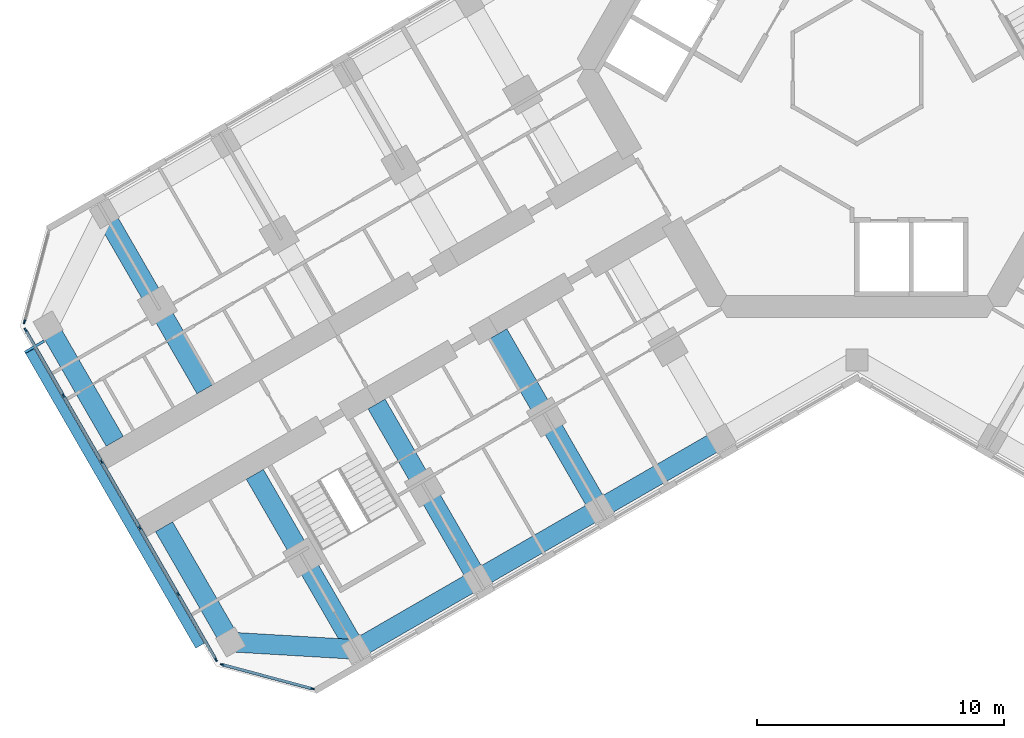
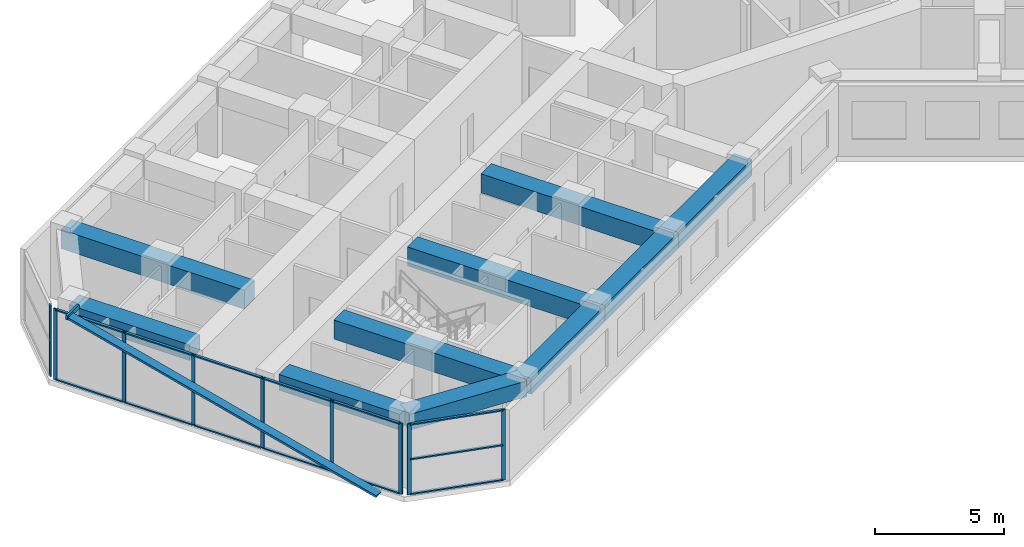
# One storey, part 2 of 19: 24 members, 10 beams, 3 elements without a shape of their own.
"""IFC4 building model written with IfcOpenShell, lengths in metres."""

from ifc_helpers import new_model, si_unit, direction, frame, origin, origin_2d, place, context, subcontext, project, spatial, rectangle, hollow_rectangle, extrude, material, material_profile, profile_set, type_object, element, aggregate, save


model = new_model("IFC4")

# Units and contexts
model_context = context("Model", 3, precision=1e-05, world=origin(), true_north=direction((0.0, 1.0)))
body_context = subcontext(model_context, "Body", "Model", "MODEL_VIEW")
ifc_project = project(units=[si_unit("LENGTHUNIT", "METRE"), si_unit("AREAUNIT", "SQUARE_METRE"), si_unit("VOLUMEUNIT", "CUBIC_METRE"), si_unit("PLANEANGLEUNIT", "RADIAN"), si_unit("MASSUNIT", "GRAM", prefix="KILO")], contexts=[model_context])

# Site, building, storey
site_placement = place(None, origin())
site = spatial("IfcSite", under=ifc_project, at=site_placement, CompositionType="ELEMENT")
building_placement = place(site_placement, origin())
building = spatial("IfcBuilding", under=site, at=building_placement, Name="Kosmar Iwan School Tower", CompositionType="ELEMENT")
storey_placement = place(building_placement, frame((0.0, 0.0, 134.60009765625)))
storey = spatial("IfcBuildingStorey", under=building, at=storey_placement, Name="L33", CompositionType="ELEMENT", Elevation=134.60009765625)

# Members
ifc_material_1 = material(Name="Black anodised aluminium", Category="aluminium")
ifc_material_profile_1 = material_profile(ifc_material_1, rectangle(XDim=0.10009765625, YDim=0.39990234375, at=origin_2d()), Name="FIN 100x400")
ifc_profile_set_1 = profile_set([ifc_material_profile_1], Name="Black anodised aluminium")
member_type_1 = type_object("IfcMemberType", Name="Diagonal fin 100x400", PredefinedType="USERDEFINED", material=ifc_profile_set_1)
member_1_placement = place(storey_placement, frame((-26.645263671875, -23.34912109375, -0.150146484375), z_axis=(-0.483793446988, 0.837970316603, 0.25248692866), x_axis=(0.126241714543, -0.218661104574, 0.96760030532)))
element("IfcMember", 1, at=member_1_placement, inside=storey, type_object=member_type_1, Name="Diagonal fin L33-F13", ObjectType="FIN", PredefinedType="USERDEFINED", context=body_context, shape_type="SweptSolid", body=[
    extrude(rectangle(XDim=0.10009765625, YDim=0.39990234375, at=origin_2d()), origin(), (0.0, 0.0, 1.0), 14.258544921875),
])
ifc_material_2 = material(Name="Steel S355", Category="steel")
ifc_material_profile_2 = material_profile(ifc_material_2, hollow_rectangle(XDim=0.10009765625, YDim=0.199951171875, WallThickness=0.008056640625, at=origin_2d()), Name="RHS 200x100x8")
ifc_profile_set_2 = profile_set([ifc_material_profile_2], Name="Steel S355")
member_type_2 = type_object("IfcMemberType", Name="Fin bracket RHS 200x100", PredefinedType="USERDEFINED", material=ifc_profile_set_2)
member_2_placement = place(storey_placement, frame((-32.963134765625, -11.006103515625, 3.474853515625), z_axis=(-0.866081705922, -0.499902469156, 0.0), x_axis=(0.499902469156, -0.866081705922, 0.0)))
element("IfcMember", 2, at=member_2_placement, inside=storey, type_object=member_type_2, Name="Fin bracket L34", ObjectType="FIN BRACKET", PredefinedType="USERDEFINED", context=body_context, shape_type="SweptSolid", body=[
    extrude(hollow_rectangle(XDim=0.10009765625, YDim=0.199951171875, WallThickness=0.008056640625, at=origin_2d()), origin(), (0.0, 0.0, 1.0), 0.900146484375),
])

# Curtain wall, member
ifc_material_3 = material(Name="Dark glass in black aluminium frame", Category="aluminium")
curtain_wall_type_1 = type_object("IfcCurtainWallType", Name="Chamfer curtain wall dark glass", PredefinedType="USERDEFINED", material=ifc_material_3)
curtain_wall_1_placement = place(storey_placement, origin())
curtain_wall_1 = element("IfcCurtainWall", 3, at=curtain_wall_1_placement, inside=storey, type_object=curtain_wall_type_1, Name="Curtain wall L33-F12", ObjectType="FACETED CURTAIN WALL", PredefinedType="USERDEFINED")
ifc_material_4 = material(Name="Black anodised aluminium", Category="aluminium")
ifc_material_profile_3 = material_profile(ifc_material_4, rectangle(XDim=0.06005859375, YDim=0.159912109375, at=origin_2d()), Name="MULLION 60x160")
ifc_profile_set_3 = profile_set([ifc_material_profile_3], Name="Black anodised aluminium")
member_type_3 = type_object("IfcMemberType", Name="Mullion 60x160", PredefinedType="MULLION", material=ifc_profile_set_3)
member_3_placement = place(storey_placement, frame((-33.7587890625, -10.2236328125, 0.0), z_axis=(0.0, 0.0, 1.0), x_axis=(0.965925875495, -0.258818861462, 0.0)))
member_3 = element("IfcMember", 4, at=member_3_placement, type_object=member_type_3, Name="CW2 mullion 2", PredefinedType="MULLION", context=body_context, shape_type="SweptSolid", body=[
    extrude(rectangle(XDim=0.06005859375, YDim=0.159912109375, at=origin_2d()), origin(), (0.0, 0.0, 1.0), 3.349853515625),
])
aggregate(curtain_wall_1, [member_3])

# Curtain wall, members
ifc_material_5 = material(Name="Dark glass in black aluminium frame", Category="aluminium")
curtain_wall_type_2 = type_object("IfcCurtainWallType", Name="Tower curtain wall dark glass", PredefinedType="USERDEFINED", material=ifc_material_5)
curtain_wall_2_placement = place(storey_placement, origin())
curtain_wall_2 = element("IfcCurtainWall", 5, at=curtain_wall_2_placement, inside=storey, type_object=curtain_wall_type_2, Name="Curtain wall L33-F13", ObjectType="UNITISED CURTAIN WALL", PredefinedType="USERDEFINED")
member_4_placement = place(storey_placement, frame((-33.71533203125, -10.55322265625, 0.0), z_axis=(0.0, 0.0, 1.0), x_axis=(0.866025405329, 0.499999997325, 0.0)))
member_4 = element("IfcMember", 6, at=member_4_placement, type_object=member_type_3, Name="CW1 mullion 1", PredefinedType="MULLION", context=body_context, shape_type="SweptSolid", body=[
    extrude(rectangle(XDim=0.06005859375, YDim=0.159912109375, at=origin_2d()), origin(), (0.0, 0.0, 1.0), 3.349853515625),
])
member_5_placement = place(storey_placement, frame((-32.1806640625, -13.21142578125, 0.0), z_axis=(0.0, 0.0, 1.0), x_axis=(0.866025405329, 0.499999997325, 0.0)))
member_5 = element("IfcMember", 7, at=member_5_placement, type_object=member_type_3, Name="CW1 mullion 2", PredefinedType="MULLION", context=body_context, shape_type="SweptSolid", body=[
    extrude(rectangle(XDim=0.06005859375, YDim=0.159912109375, at=origin_2d()), origin(), (0.0, 0.0, 1.0), 3.349853515625),
])
member_6_placement = place(storey_placement, frame((-30.631103515625, -15.8955078125, 0.0), z_axis=(0.0, 0.0, 1.0), x_axis=(0.866025405329, 0.499999997325, 0.0)))
member_6 = element("IfcMember", 8, at=member_6_placement, type_object=member_type_3, Name="CW1 mullion 3", PredefinedType="MULLION", context=body_context, shape_type="SweptSolid", body=[
    extrude(rectangle(XDim=0.06005859375, YDim=0.159912109375, at=origin_2d()), origin(), (0.0, 0.0, 1.0), 3.349853515625),
])
member_7_placement = place(storey_placement, frame((-29.081298828125, -18.57958984375, 0.0), z_axis=(0.0, 0.0, 1.0), x_axis=(0.866025405329, 0.499999997325, 0.0)))
member_7 = element("IfcMember", 9, at=member_7_placement, type_object=member_type_3, Name="CW1 mullion 4", PredefinedType="MULLION", context=body_context, shape_type="SweptSolid", body=[
    extrude(rectangle(XDim=0.06005859375, YDim=0.159912109375, at=origin_2d()), origin(), (0.0, 0.0, 1.0), 3.349853515625),
])
member_8_placement = place(storey_placement, frame((-27.53173828125, -21.263671875, 0.0), z_axis=(0.0, 0.0, 1.0), x_axis=(0.866025405329, 0.499999997325, 0.0)))
member_8 = element("IfcMember", 10, at=member_8_placement, type_object=member_type_3, Name="CW1 mullion 5", PredefinedType="MULLION", context=body_context, shape_type="SweptSolid", body=[
    extrude(rectangle(XDim=0.06005859375, YDim=0.159912109375, at=origin_2d()), origin(), (0.0, 0.0, 1.0), 3.349853515625),
])
member_9_placement = place(storey_placement, frame((-25.9970703125, -23.921630859375, 0.0), z_axis=(0.0, 0.0, 1.0), x_axis=(0.866025405329, 0.499999997325, 0.0)))
member_9 = element("IfcMember", 11, at=member_9_placement, type_object=member_type_3, Name="CW1 mullion 6", PredefinedType="MULLION", context=body_context, shape_type="SweptSolid", body=[
    extrude(rectangle(XDim=0.06005859375, YDim=0.159912109375, at=origin_2d()), origin(), (0.0, 0.0, 1.0), 3.349853515625),
])

curtain_wall_3_placement = place(storey_placement, origin())
curtain_wall_3 = element("IfcCurtainWall", 12, at=curtain_wall_3_placement, inside=storey, type_object=curtain_wall_type_1, Name="Curtain wall L33-F14", ObjectType="FACETED CURTAIN WALL", PredefinedType="USERDEFINED")
member_10_placement = place(storey_placement, frame((-25.733154296875, -24.124267578125, 0.0), z_axis=(0.0, 0.0, 1.0), x_axis=(0.258818861462, 0.965925875495, 0.0)))
member_10 = element("IfcMember", 13, at=member_10_placement, type_object=member_type_3, Name="CW2 mullion 1", PredefinedType="MULLION", context=body_context, shape_type="SweptSolid", body=[
    extrude(rectangle(XDim=0.06005859375, YDim=0.159912109375, at=origin_2d()), origin(), (0.0, 0.0, 1.0), 3.349853515625),
])
member_11_placement = place(storey_placement, frame((-22.0830078125, -25.102294921875, 0.0), z_axis=(0.0, 0.0, 1.0), x_axis=(0.258818861462, 0.965925875495, 0.0)))
member_11 = element("IfcMember", 14, at=member_11_placement, type_object=member_type_3, Name="CW2 mullion 2", PredefinedType="MULLION", context=body_context, shape_type="SweptSolid", body=[
    extrude(rectangle(XDim=0.06005859375, YDim=0.159912109375, at=origin_2d()), origin(), (0.0, 0.0, 1.0), 3.349853515625),
])

# Beams
ifc_material_6 = material(Name="Concrete C50/60", Category="concrete")
ifc_material_profile_4 = material_profile(ifc_material_6, rectangle(XDim=0.800048828125, YDim=0.75, at=origin_2d()), Name="RC 800x750")
ifc_profile_set_4 = profile_set([ifc_material_profile_4], Name="Concrete C50/60")
beam_type_1 = type_object("IfcBeamType", Name="RC edge beam 800x750", PredefinedType="BEAM", material=ifc_profile_set_4)
beam_1_placement = place(storey_placement, frame((-5.5087890625, -14.95849609375, 2.974853515625), z_axis=(-0.866033658841, -0.49998570155, 0.0), x_axis=(0.49998570155, -0.866033658841, 0.0)))
element("IfcBeam", 15, at=beam_1_placement, inside=storey, type_object=beam_type_1, Name="Edge beam BL2", PredefinedType="BEAM", context=body_context, shape_type="SweptSolid", body=[
    extrude(rectangle(XDim=0.800048828125, YDim=0.75, at=origin_2d()), origin(), (0.0, 0.0, 1.0), 5.699951171875),
])
beam_2_placement = place(storey_placement, frame((-10.445068359375, -17.808349609375, 2.974853515625), z_axis=(-0.866025820012, -0.499999279071, 0.0), x_axis=(0.499999279071, -0.866025820012, 0.0)))
element("IfcBeam", 16, at=beam_2_placement, inside=storey, type_object=beam_type_1, Name="Edge beam BL3", PredefinedType="BEAM", context=body_context, shape_type="SweptSolid", body=[
    extrude(rectangle(XDim=0.800048828125, YDim=0.75, at=origin_2d()), origin(), (0.0, 0.0, 1.0), 5.7001953125),
])
beam_3_placement = place(storey_placement, frame((-15.381591796875, -20.658447265625, 2.974853515625), z_axis=(-0.866015111908, -0.50001782563, 0.0), x_axis=(0.50001782563, -0.866015111908, 0.0)))
element("IfcBeam", 17, at=beam_3_placement, inside=storey, type_object=beam_type_1, Name="Edge beam BL4", PredefinedType="BEAM", context=body_context, shape_type="SweptSolid", body=[
    extrude(rectangle(XDim=0.800048828125, YDim=0.75, at=origin_2d()), origin(), (0.0, 0.0, 1.0), 5.699951171875),
])
ifc_material_7 = material(Name="Concrete C50/60", Category="concrete")
ifc_material_profile_5 = material_profile(ifc_material_7, rectangle(XDim=0.800048828125, YDim=0.75, at=origin_2d()), Name="RC 800x750")
ifc_profile_set_5 = profile_set([ifc_material_profile_5], Name="Concrete C50/60")
beam_type_2 = type_object("IfcBeamType", Name="RC tip beam 800x750", PredefinedType="BEAM", material=ifc_profile_set_5)
beam_4_placement = place(storey_placement, frame((-20.31787109375, -23.508544921875, 2.974853515625), z_axis=(-0.998260616478, 0.058955420358, 0.0), x_axis=(-0.058955420358, -0.998260616478, 0.0)))
element("IfcBeam", 18, at=beam_4_placement, inside=storey, type_object=beam_type_2, Name="Tip beam BL", PredefinedType="BEAM", context=body_context, shape_type="SweptSolid", body=[
    extrude(rectangle(XDim=0.800048828125, YDim=0.75, at=origin_2d()), origin(), (0.0, 0.0, 1.0), 5.08935546875),
])
for number, where, z_axis, x_axis, name in (
    (19, (-25.3984375, -23.20849609375, 2.974853515625), (-0.499995103361, 0.866028230842, 0.0), (-0.866028230842, -0.499995103361, 0.0), "Tip beam BL to corridor wall"),
    (20, (-32.79833984375, -10.391357421875, 2.974853515625), (0.499995103361, -0.866028230842, 0.0), (0.866028230842, 0.499995103361, 0.0), "Tip beam BR to corridor wall"),
):
    element("IfcBeam", number, at=place(storey_placement, frame(where, z_axis=z_axis, x_axis=x_axis)), inside=storey, type_object=beam_type_2, Name=name, PredefinedType="BEAM", context=body_context, shape_type="SweptSolid", body=[
        extrude(rectangle(XDim=0.800048828125, YDim=0.75, at=origin_2d()), origin(), (0.0, 0.0, 1.0), 5.39990234375),
    ])
ifc_material_8 = material(Name="Concrete C50/60", Category="concrete")
ifc_material_profile_6 = material_profile(ifc_material_8, rectangle(XDim=0.800048828125, YDim=0.89990234375, at=origin_2d()), Name="RC 800x900")
ifc_profile_set_6 = profile_set([ifc_material_profile_6], Name="Concrete C50/60")
beam_type_3 = type_object("IfcBeamType", Name="RC transverse beam 800x900", PredefinedType="BEAM", material=ifc_profile_set_6)
for number, where, z_axis, x_axis, name in (
    (21, (-10.445068359375, -17.808349609375, 2.89990234375), (-0.500013681986, 0.866017504342, 0.0), (-0.866017504342, -0.500013681986, 0.0), "Transverse beam BL2"),
    (22, (-15.381591796875, -20.658447265625, 2.89990234375), (-0.49999135188, 0.866030396721, 0.0), (-0.866030396721, -0.49999135188, 0.0), "Transverse beam BL3"),
    (23, (-20.31787109375, -23.508544921875, 2.89990234375), (-0.499978459874, 0.866037839625, 0.0), (-0.866037839625, -0.499978459874, 0.0), "Transverse beam BL4"),
    (24, (-30.517822265625, -5.841552734375, 2.89990234375), (0.500013681986, -0.866017504342, 0.0), (0.866017504342, 0.500013681986, 0.0), "Transverse beam BR4"),
):
    element("IfcBeam", number, at=place(storey_placement, frame(where, z_axis=z_axis, x_axis=x_axis)), inside=storey, type_object=beam_type_3, Name=name, PredefinedType="BEAM", context=body_context, shape_type="SweptSolid", body=[
        extrude(rectangle(XDim=0.800048828125, YDim=0.89990234375, at=origin_2d()), origin(), (0.0, 0.0, 1.0), 8.199951171875),
    ])

# Member
ifc_material_9 = material(Name="Black anodised aluminium", Category="aluminium")
ifc_material_profile_7 = material_profile(ifc_material_9, rectangle(XDim=0.1201171875, YDim=0.06005859375, at=origin_2d()), Name="TRANSOM 60x120")
ifc_profile_set_7 = profile_set([ifc_material_profile_7], Name="Black anodised aluminium")
member_type_4 = type_object("IfcMemberType", Name="Transom 60x120", PredefinedType="USERDEFINED", material=ifc_profile_set_7)
member_12_placement = place(storey_placement, frame((-33.700439453125, -10.579345703125, 0.02978515625), z_axis=(0.500022102064, -0.866012642776, 0.0), x_axis=(0.866012642776, 0.500022102064, 0.0)))
member_12 = element("IfcMember", 25, at=member_12_placement, type_object=member_type_4, Name="CW1 transom 1.1", ObjectType="TRANSOM", PredefinedType="USERDEFINED", context=body_context, shape_type="SweptSolid", body=[
    extrude(rectangle(XDim=0.1201171875, YDim=0.06005859375, at=origin_2d()), origin(), (0.0, 0.0, 1.0), 3.009033203125),
])

member_13_placement = place(storey_placement, frame((-33.700439453125, -10.579345703125, 3.31982421875), z_axis=(0.500022102064, -0.866012642776, 0.0), x_axis=(0.866012642776, 0.500022102064, 0.0)))
member_13 = element("IfcMember", 26, at=member_13_placement, type_object=member_type_4, Name="CW1 transom 1.2", ObjectType="TRANSOM", PredefinedType="USERDEFINED", context=body_context, shape_type="SweptSolid", body=[
    extrude(rectangle(XDim=0.1201171875, YDim=0.06005859375, at=origin_2d()), origin(), (0.0, 0.0, 1.0), 3.009033203125),
])

member_14_placement = place(storey_placement, frame((-32.165771484375, -13.2373046875, 0.02978515625), z_axis=(0.500035348339, -0.866004994449, 0.0), x_axis=(0.866004994449, 0.500035348339, 0.0)))
member_14 = element("IfcMember", 27, at=member_14_placement, type_object=member_type_4, Name="CW1 transom 2.1", ObjectType="TRANSOM", PredefinedType="USERDEFINED", context=body_context, shape_type="SweptSolid", body=[
    extrude(rectangle(XDim=0.1201171875, YDim=0.06005859375, at=origin_2d()), origin(), (0.0, 0.0, 1.0), 3.039306640625),
])

member_15_placement = place(storey_placement, frame((-32.165771484375, -13.2373046875, 3.31982421875), z_axis=(0.500035348339, -0.866004994449, 0.0), x_axis=(0.866004994449, 0.500035348339, 0.0)))
member_15 = element("IfcMember", 28, at=member_15_placement, type_object=member_type_4, Name="CW1 transom 2.2", ObjectType="TRANSOM", PredefinedType="USERDEFINED", context=body_context, shape_type="SweptSolid", body=[
    extrude(rectangle(XDim=0.1201171875, YDim=0.06005859375, at=origin_2d()), origin(), (0.0, 0.0, 1.0), 3.039306640625),
])

member_16_placement = place(storey_placement, frame((-30.615966796875, -15.92138671875, 0.02978515625), z_axis=(0.499975102327, -0.866039777986, 0.0), x_axis=(0.866039777986, 0.499975102327, 0.0)))
member_16 = element("IfcMember", 29, at=member_16_placement, type_object=member_type_4, Name="CW1 transom 3.1", ObjectType="TRANSOM", PredefinedType="USERDEFINED", context=body_context, shape_type="SweptSolid", body=[
    extrude(rectangle(XDim=0.1201171875, YDim=0.06005859375, at=origin_2d()), origin(), (0.0, 0.0, 1.0), 3.039306640625),
])

member_17_placement = place(storey_placement, frame((-30.615966796875, -15.92138671875, 3.31982421875), z_axis=(0.499975102327, -0.866039777986, 0.0), x_axis=(0.866039777986, 0.499975102327, 0.0)))
member_17 = element("IfcMember", 30, at=member_17_placement, type_object=member_type_4, Name="CW1 transom 3.2", ObjectType="TRANSOM", PredefinedType="USERDEFINED", context=body_context, shape_type="SweptSolid", body=[
    extrude(rectangle(XDim=0.1201171875, YDim=0.06005859375, at=origin_2d()), origin(), (0.0, 0.0, 1.0), 3.039306640625),
])

member_18_placement = place(storey_placement, frame((-29.06640625, -18.60546875, 0.02978515625), z_axis=(0.499975102327, -0.866039777986, 0.0), x_axis=(0.866039777986, 0.499975102327, 0.0)))
member_18 = element("IfcMember", 31, at=member_18_placement, type_object=member_type_4, Name="CW1 transom 4.1", ObjectType="TRANSOM", PredefinedType="USERDEFINED", context=body_context, shape_type="SweptSolid", body=[
    extrude(rectangle(XDim=0.1201171875, YDim=0.06005859375, at=origin_2d()), origin(), (0.0, 0.0, 1.0), 3.039306640625),
])

member_19_placement = place(storey_placement, frame((-29.06640625, -18.60546875, 3.31982421875), z_axis=(0.499975102327, -0.866039777986, 0.0), x_axis=(0.866039777986, 0.499975102327, 0.0)))
member_19 = element("IfcMember", 32, at=member_19_placement, type_object=member_type_4, Name="CW1 transom 4.2", ObjectType="TRANSOM", PredefinedType="USERDEFINED", context=body_context, shape_type="SweptSolid", body=[
    extrude(rectangle(XDim=0.1201171875, YDim=0.06005859375, at=origin_2d()), origin(), (0.0, 0.0, 1.0), 3.039306640625),
])

member_20_placement = place(storey_placement, frame((-27.516845703125, -21.28955078125, 0.02978515625), z_axis=(0.499986971506, -0.866032925658, 0.0), x_axis=(0.866032925658, 0.499986971506, 0.0)))
member_20 = element("IfcMember", 33, at=member_20_placement, type_object=member_type_4, Name="CW1 transom 5.1", ObjectType="TRANSOM", PredefinedType="USERDEFINED", context=body_context, shape_type="SweptSolid", body=[
    extrude(rectangle(XDim=0.1201171875, YDim=0.06005859375, at=origin_2d()), origin(), (0.0, 0.0, 1.0), 3.00927734375),
])

member_21_placement = place(storey_placement, frame((-27.516845703125, -21.28955078125, 3.31982421875), z_axis=(0.499986971506, -0.866032925658, 0.0), x_axis=(0.866032925658, 0.499986971506, 0.0)))
member_21 = element("IfcMember", 34, at=member_21_placement, type_object=member_type_4, Name="CW1 transom 5.2", ObjectType="TRANSOM", PredefinedType="USERDEFINED", context=body_context, shape_type="SweptSolid", body=[
    extrude(rectangle(XDim=0.1201171875, YDim=0.06005859375, at=origin_2d()), origin(), (0.0, 0.0, 1.0), 3.00927734375),
])

aggregate(curtain_wall_2, [member_4, member_5, member_6, member_7, member_8, member_9, member_12, member_13, member_14, member_15, member_16, member_17, member_18, member_19, member_20, member_21])

member_22_placement = place(storey_placement, frame((-25.704345703125, -24.1318359375, 0.02978515625), z_axis=(0.965923731726, -0.258826861991, 0.0), x_axis=(0.258826861991, 0.965923731726, 0.0)))
member_22 = element("IfcMember", 35, at=member_22_placement, type_object=member_type_4, Name="CW2 transom 1.1", ObjectType="TRANSOM", PredefinedType="USERDEFINED", context=body_context, shape_type="SweptSolid", body=[
    extrude(rectangle(XDim=0.1201171875, YDim=0.06005859375, at=origin_2d()), origin(), (0.0, 0.0, 1.0), 3.71923828125),
])

member_23_placement = place(storey_placement, frame((-25.704345703125, -24.1318359375, 1.6748046875), z_axis=(0.965923731726, -0.258826861991, 0.0), x_axis=(0.258826861991, 0.965923731726, 0.0)))
member_23 = element("IfcMember", 36, at=member_23_placement, type_object=member_type_4, Name="CW2 transom 1.2", ObjectType="TRANSOM", PredefinedType="USERDEFINED", context=body_context, shape_type="SweptSolid", body=[
    extrude(rectangle(XDim=0.1201171875, YDim=0.06005859375, at=origin_2d()), origin(), (0.0, 0.0, 1.0), 3.71923828125),
])

member_24_placement = place(storey_placement, frame((-25.704345703125, -24.1318359375, 3.31982421875), z_axis=(0.965923731726, -0.258826861991, 0.0), x_axis=(0.258826861991, 0.965923731726, 0.0)))
member_24 = element("IfcMember", 37, at=member_24_placement, type_object=member_type_4, Name="CW2 transom 1.3", ObjectType="TRANSOM", PredefinedType="USERDEFINED", context=body_context, shape_type="SweptSolid", body=[
    extrude(rectangle(XDim=0.1201171875, YDim=0.06005859375, at=origin_2d()), origin(), (0.0, 0.0, 1.0), 3.71923828125),
])

aggregate(curtain_wall_3, [member_10, member_11, member_22, member_23, member_24])

save(model, "model.ifc")
